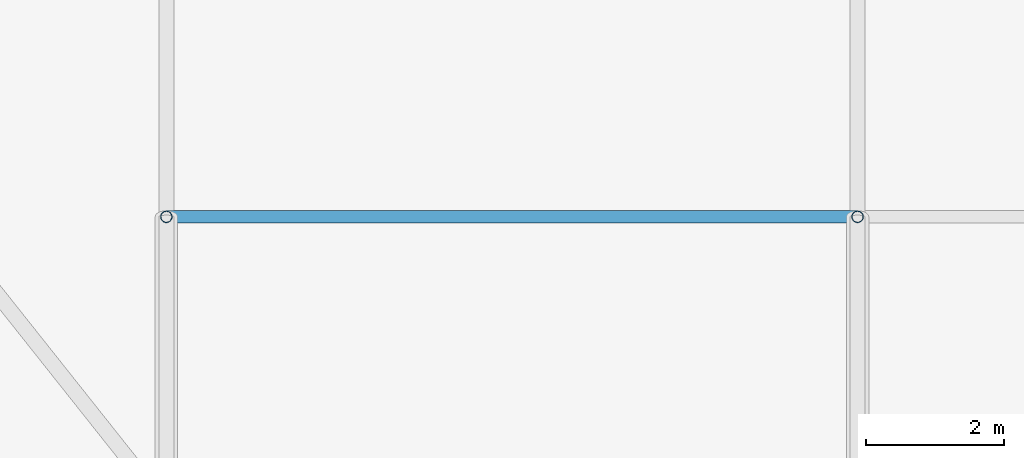
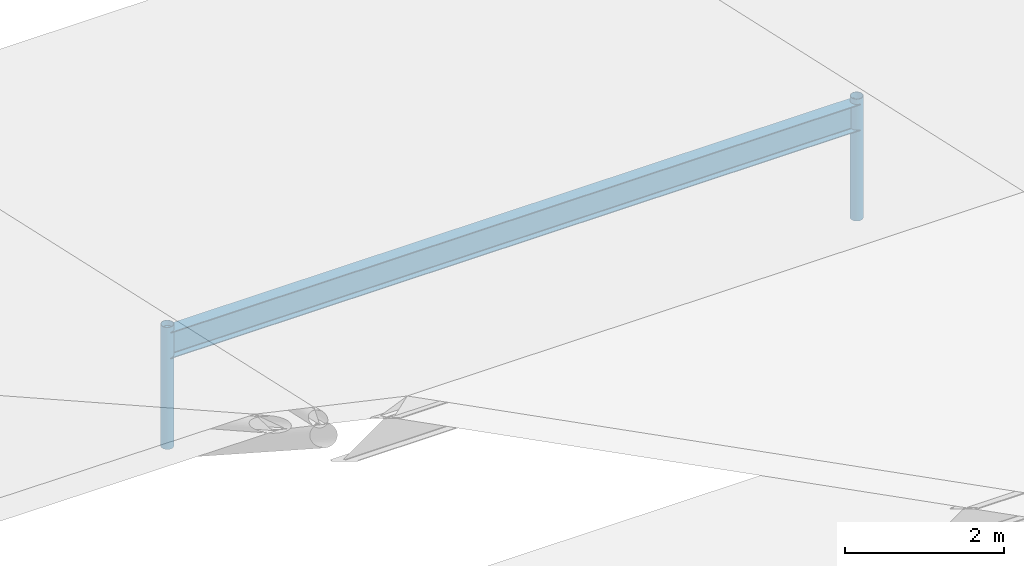
# One storey, part 57 of 93: 2 members, 1 beam.
"""IFC4 building model written with IfcOpenShell, lengths in metres."""

import ifcopenshell
import ifcopenshell.guid

model = None  # the IFC model being written
_history = None  # IfcOwnerHistory: only IFC2X3 demands one
_inside = {}  # id of a spatial element -> (the spatial element, [elements in it])
_under = {}  # id of a project, library or spatial element -> (it, [spatial elements below it])
_declared = {}  # id of a project -> (the project, [libraries it declares])
_typed = {}  # id of a type object -> (the type object, [elements of that type])
_made_of = {}  # id of a material, layer set ... -> (it, [elements and type objects made of it])


def new_model(schema):
    """Start an empty IFC model of exactly this schema.

    Asked for "IFC4X3", IfcOpenShell would pick the latest addendum, in which some entities
    have other attributes; the version numbers below select the first issue.
    IFC2X3 requires an IfcOwnerHistory on every rooted entity: one is made here for all.
    """
    global model, _history
    if schema == "IFC4X3":
        model = ifcopenshell.file(schema_version=(4, 3, 0, 0))
    else:
        model = ifcopenshell.file(schema=schema)
    _inside.clear()
    _under.clear()
    _declared.clear()
    _typed.clear()
    _made_of.clear()
    _history = None
    if model.schema == "IFC2X3":
        org = make("IfcOrganization", Name="unknown")
        user = make(
            "IfcPersonAndOrganization",
            ThePerson=make("IfcPerson", FamilyName="unknown"),
            TheOrganization=org,
        )
        app = make(
            "IfcApplication",
            ApplicationDeveloper=org,
            Version="unknown",
            ApplicationFullName="unknown",
            ApplicationIdentifier="unknown",
        )
        _history = make(
            "IfcOwnerHistory",
            OwningUser=user,
            OwningApplication=app,
            ChangeAction="ADDED",
            CreationDate=0,
        )
    return model


def make(cls, **values):
    """One entity of the class cls with the attributes given. An attribute that is None is left unset."""
    return model.create_entity(
        cls, **{name: value for name, value in values.items() if value is not None}
    )


def rooted(cls, **values):
    """An entity with a GlobalId (a new one), such as an element, a storey or a relation."""
    return make(cls, GlobalId=ifcopenshell.guid.new(), OwnerHistory=_history, **values)


def si_unit(unit_type, name, prefix=None):
    """IfcSIUnit, for example si_unit("LENGTHUNIT", "METRE", prefix="MILLI")."""
    return make("IfcSIUnit", UnitType=unit_type, Prefix=prefix, Name=name)


def derived_unit(unit_type, elements):
    """IfcDerivedUnit: a product of units, each with its exponent."""
    return make(
        "IfcDerivedUnit",
        Elements=[
            make("IfcDerivedUnitElement", Unit=unit, Exponent=power)
            for unit, power in elements
        ],
        UnitType=unit_type,
    )


def assignment(units):
    """IfcUnitAssignment: the units of a project."""
    return None if units is None else make("IfcUnitAssignment", Units=units)


def point(xyz):
    """IfcCartesianPoint."""
    return None if xyz is None else make("IfcCartesianPoint", Coordinates=xyz)


def direction(xyz):
    """IfcDirection."""
    return None if xyz is None else make("IfcDirection", DirectionRatios=xyz)


def frame(location, z_axis=None, x_axis=None):
    """IfcAxis2Placement3D, a coordinate frame: its origin and axes. An axis left out is left unset."""
    return make(
        "IfcAxis2Placement3D",
        Location=point(location),
        Axis=direction(z_axis),
        RefDirection=direction(x_axis),
    )


def frame_2d(location, x_axis=None):
    """IfcAxis2Placement2D, a coordinate frame in the plane: its origin and x axis."""
    return make(
        "IfcAxis2Placement2D", Location=point(location), RefDirection=direction(x_axis)
    )


def origin():
    """The frame at (0, 0, 0) with its axes left unset."""
    return frame((0.0, 0.0, 0.0))


def origin_2d_with_axis():
    """The frame at (0, 0) in the plane with the x axis (1, 0) written out."""
    return frame_2d((0.0, 0.0), x_axis=(1.0, 0.0))


def place(relative_to, where):
    """IfcLocalPlacement: puts the frame where relative to a parent placement (None: the world)."""
    return make(
        "IfcLocalPlacement", PlacementRelTo=relative_to, RelativePlacement=where
    )


def context(
    kind, dimensions, precision=None, world=None, true_north=None, identifier=None
):
    """IfcGeometricRepresentationContext, for example the 3D "Model" context."""
    return make(
        "IfcGeometricRepresentationContext",
        ContextIdentifier=identifier,
        ContextType=kind,
        CoordinateSpaceDimension=dimensions,
        Precision=precision,
        WorldCoordinateSystem=world,
        TrueNorth=true_north,
    )


def subcontext(parent, identifier, kind, view, scale=None):
    """IfcGeometricRepresentationSubContext, for example "Body" below "Model"."""
    return make(
        "IfcGeometricRepresentationSubContext",
        ContextIdentifier=identifier,
        ContextType=kind,
        ParentContext=parent,
        TargetScale=scale,
        TargetView=view,
    )


def project(units=None, contexts=None):
    """IfcProject with its units and contexts."""
    return rooted(
        "IfcProject",
        Name="project",
        RepresentationContexts=contexts,
        UnitsInContext=assignment(units),
    )


def spatial(cls, under=None, at=None, **own):
    """A site, building, storey or space (cls), placed at a placement, below another one or the project."""
    s = rooted(cls, ObjectPlacement=at, **own)
    if under is not None:
        _under.setdefault(under.id(), (under, []))[1].append(s)
    return s


def profile(cls, at=None, kind="AREA", **sizes):
    """A parametric profile (cls). Its sizes go by their IFC names, for example OverallWidth=200.0."""
    return make(cls, ProfileType=kind, Position=at, **sizes)


def hollow_circle(**sizes):
    """IfcCircleHollowProfileDef."""
    return profile("IfcCircleHollowProfileDef", **sizes)


def i_section(**sizes):
    """IfcIShapeProfileDef."""
    return profile("IfcIShapeProfileDef", **sizes)


def extrude(swept, where, along, depth):
    """IfcExtrudedAreaSolid: the profile swept, set in the frame where, extruded along a direction by depth."""
    return make(
        "IfcExtrudedAreaSolid",
        SweptArea=swept,
        Position=where,
        ExtrudedDirection=direction(along),
        Depth=depth,
    )


def shape(context_of_items, identifier, shape_type, items):
    """IfcShapeRepresentation: the items that make up one representation, for example the "Body"."""
    return make(
        "IfcShapeRepresentation",
        ContextOfItems=context_of_items,
        RepresentationIdentifier=identifier,
        RepresentationType=shape_type,
        Items=items,
    )


def material(Name=None, Category=None):
    """IfcMaterial."""
    return make("IfcMaterial", Name=Name, Category=Category)


def material_profile(
    of_material, cross_section, Name=None, Category=None, Priority=None
):
    """IfcMaterialProfile: a cross section and its material."""
    return make(
        "IfcMaterialProfile",
        Name=Name,
        Material=of_material,
        Profile=cross_section,
        Priority=Priority,
        Category=Category,
    )


def profile_set(profiles, Name=None, composite=None):
    """IfcMaterialProfileSet."""
    return make(
        "IfcMaterialProfileSet",
        Name=Name,
        MaterialProfiles=profiles,
        CompositeProfile=composite,
    )


def made_of(thing, what):
    """Note that an element or type object is made of a material, layer set ...; save() writes the relation."""
    if what is not None:
        _made_of.setdefault(what.id(), (what, []))[1].append(thing)
    return thing


def type_object(cls, material=None, **own):
    """A type object (cls), such as IfcWallType, which elements share."""
    return made_of(rooted(cls, **own), material)


def element(
    cls,
    number,
    at=None,
    inside=None,
    cuts=None,
    type_object=None,
    material=None,
    context=None,
    identifier="Body",
    shape_type=None,
    held_by="IfcProductDefinitionShape",
    body=None,
    shapes=None,
    **own,
):
    """One element of the class cls, such as IfcWall. Its Tag is "e" and its number.

    at: its placement. inside: the storey or other place that contains it. cuts: it is an
    opening in that element (IfcRelVoidsElement). A single representation is given by context,
    identifier, shape_type and body (its items); several are given by shapes. held_by: the class
    of the entity that holds the representations. save() writes the other relations.
    """
    e = rooted(cls, Tag="e%d" % number, ObjectPlacement=at, **own)
    if body is not None:
        shapes = [shape(context, identifier, shape_type, body)]
    if shapes is not None:
        e.Representation = make(held_by, Representations=shapes)
    if inside is not None:
        _inside.setdefault(inside.id(), (inside, []))[1].append(e)
    if cuts is not None:
        rooted(
            "IfcRelVoidsElement", RelatingBuildingElement=cuts, RelatedOpeningElement=e
        )
    if type_object is not None:
        _typed.setdefault(type_object.id(), (type_object, []))[1].append(e)
    return made_of(e, material)


def aggregate(whole, parts):
    """IfcRelAggregates: a whole, such as a stair, and the parts it consists of."""
    return rooted("IfcRelAggregates", RelatingObject=whole, RelatedObjects=parts)


def save(model, path):
    """Write the relations noted so far, then the file.

    IfcRelAggregates (storeys below a building ...), IfcRelContainedInSpatialStructure (elements
    in a storey), IfcRelDefinesByType, IfcRelAssociatesMaterial and IfcRelDeclares: one each for
    every whole, place, type object, material and project.
    """
    for whole, parts in _under.values():
        aggregate(whole, parts)
    for where, things in _inside.values():
        rooted(
            "IfcRelContainedInSpatialStructure",
            RelatedElements=things,
            RelatingStructure=where,
        )
    for kind, things in _typed.values():
        rooted("IfcRelDefinesByType", RelatedObjects=things, RelatingType=kind)
    for what, things in _made_of.values():
        rooted("IfcRelAssociatesMaterial", RelatedObjects=things, RelatingMaterial=what)
    for by, libraries in _declared.values():
        rooted("IfcRelDeclares", RelatingContext=by, RelatedDefinitions=libraries)
    model.write(path)


model = new_model("IFC4")

# Units and contexts
model_context = context("Model", 3, precision=1e-05, world=origin(), true_north=direction((0.0, 1.0)))
body_context = subcontext(model_context, "Body", "Model", "MODEL_VIEW")
ifc_project = project(units=[si_unit("LENGTHUNIT", "METRE"), si_unit("AREAUNIT", "SQUARE_METRE"), si_unit("VOLUMEUNIT", "CUBIC_METRE"), si_unit("PLANEANGLEUNIT", "RADIAN"), si_unit("MASSUNIT", "GRAM", prefix="KILO"), derived_unit("THERMALTRANSMITTANCEUNIT", [(si_unit("POWERUNIT", "WATT"), 1), (si_unit("LENGTHUNIT", "METRE"), -2), (si_unit("THERMODYNAMICTEMPERATUREUNIT", "KELVIN"), -1)])], contexts=[model_context])

# Site, building, storey
site_placement = place(None, origin())
site = spatial("IfcSite", under=ifc_project, at=site_placement, CompositionType="ELEMENT")
building_placement = place(site_placement, origin())
building = spatial("IfcBuilding", under=site, at=building_placement, Name="Cinnabar Yard Market Hall", CompositionType="ELEMENT")
storey_placement = place(building_placement, frame((0.0, 0.0, 23.800048828125)))
storey = spatial("IfcBuildingStorey", under=building, at=storey_placement, Name="ROOF", CompositionType="ELEMENT", Elevation=23.800048828125)

# Beam
ifc_material_1 = material(Name="Steel Grade 300 (300 MPa)", Category="steel")
ifc_material_profile_1 = material_profile(ifc_material_1, i_section(OverallWidth=0.177978515625, OverallDepth=0.406494140625, WebThickness=0.0078125, FlangeThickness=0.0126953125, FilletRadius=0.011474609375, at=origin_2d_with_axis()), Name="410UB59.7")
ifc_profile_set_1 = profile_set([ifc_material_profile_1], Name="Steel Grade 300 (300 MPa)")
beam_type = type_object("IfcBeamType", Name="BM-B06", PredefinedType="BEAM", material=ifc_profile_set_1)
beam_placement = place(storey_placement, frame((106.0, 129.60009765625, -3.61328125), z_axis=(1.0, 0.0, 0.0), x_axis=(0.0, 1.0, 0.0)))
element("IfcBeam", 1, at=beam_placement, inside=storey, type_object=beam_type, Name="Belvedere Purlin Girder 129 01601", PredefinedType="BEAM", context=body_context, shape_type="SweptSolid", body=[
    extrude(i_section(OverallWidth=0.177978515625, OverallDepth=0.406494140625, WebThickness=0.0078125, FlangeThickness=0.0126953125, FilletRadius=0.011474609375, at=origin_2d_with_axis()), origin(), (0.0, 0.0, 1.0), 10.0),
])

# Members
ifc_material_2 = material(Name="Cold-formed steel C350L0", Category="steel")
ifc_material_profile_2 = material_profile(ifc_material_2, hollow_circle(Radius=0.084228515625, WallThickness=0.00634765625, at=origin_2d_with_axis()), Name="168.3x6.4CHS")
ifc_profile_set_2 = profile_set([ifc_material_profile_2], Name="Cold-formed steel C350L0")
member_type = type_object("IfcMemberType", Name="MB-WB01", PredefinedType="STRUT", material=ifc_profile_set_2)
for number, where, z_axis, x_axis, name in (
    (2, (106.0, 129.60009765625, -5.199951171875), (0.0, 0.0, 1.0), (1.0, 0.0, 0.0), "Belvedere Roof Post 106-129"),
    (3, (116.0, 129.60009765625, -5.199951171875), (0.0, 0.0, 1.0), (1.0, 0.0, 0.0), "Belvedere Roof Post 116-129"),
):
    element("IfcMember", number, at=place(storey_placement, frame(where, z_axis=z_axis, x_axis=x_axis)), inside=storey, type_object=member_type, Name=name, PredefinedType="STRUT", context=body_context, shape_type="SweptSolid", body=[
        extrude(hollow_circle(Radius=0.084228515625, WallThickness=0.00634765625, at=origin_2d_with_axis()), origin(), (0.0, 0.0, 1.0), 1.869873046875),
    ])

save(model, "model.ifc")
